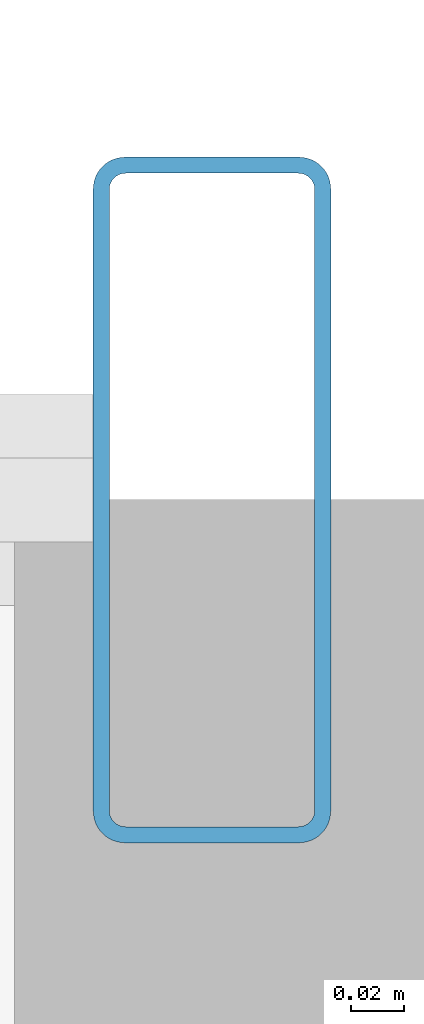
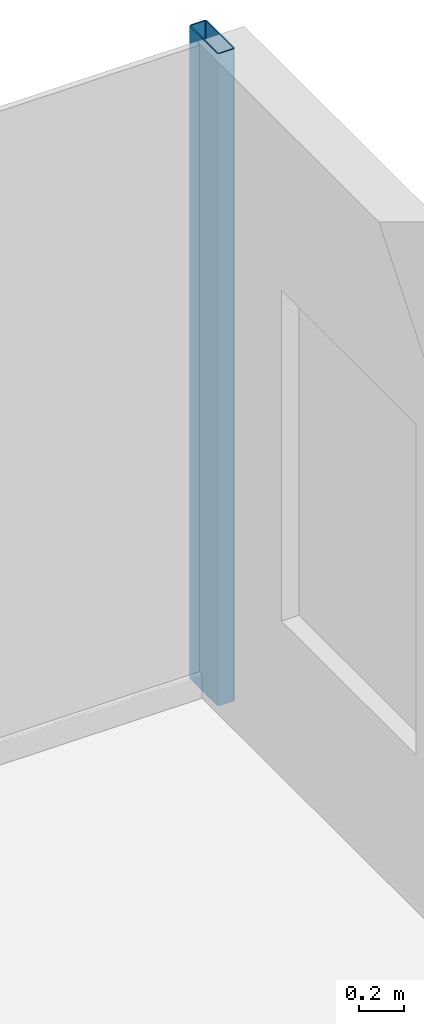
# One storey, part 14 of 26: 1 member, 1 element without a shape of its own.
"""IFC4 building model written with IfcOpenShell, lengths in metres."""

from ifc_helpers import new_model, si_unit, direction, frame, origin, origin_2d, place, context, subcontext, project, spatial, hollow_rectangle, extrude, source, transform, mapped, material, layer, layer_set, material_profile, profile_set, type_object, element, aggregate, save


model = new_model("IFC4")

# Units and contexts
model_context = context("Model", 3, precision=1e-05, world=origin(), true_north=direction((0.0, 1.0)))
body_context = subcontext(model_context, "Body", "Model", "MODEL_VIEW")
ifc_project = project(units=[si_unit("LENGTHUNIT", "METRE"), si_unit("AREAUNIT", "SQUARE_METRE"), si_unit("VOLUMEUNIT", "CUBIC_METRE"), si_unit("PLANEANGLEUNIT", "RADIAN"), si_unit("MASSUNIT", "GRAM", prefix="KILO")], contexts=[model_context])

# Site, building, storey
site_placement = place(None, origin())
site = spatial("IfcSite", under=ifc_project, at=site_placement, CompositionType="ELEMENT")
building_placement = place(site_placement, origin())
building = spatial("IfcBuilding", under=site, at=building_placement, Name="Nefas-Gora Pilgrimage Tower", CompositionType="ELEMENT")
storey_placement = place(building_placement, frame((0.0, 0.0, 59.60009765625)))
storey = spatial("IfcBuildingStorey", under=building, at=storey_placement, Name="L13", CompositionType="ELEMENT", Elevation=59.60009765625)

# Curtain wall, member
ifc_material_1 = material(Name="Dark ceramic-fritted solar-control aluminium-glass curtain wall", Category="aluminium")
ifc_layer = layer(ifc_material_1, 0.219970703125)
ifc_layer_set = layer_set([ifc_layer], Name="Dark ceramic-fritted solar-control aluminium-glass curtain wall")
curtain_wall_type = type_object("IfcCurtainWallType", Name="CW-SYS-2", PredefinedType="NOTDEFINED", material=ifc_layer_set)
curtain_wall_placement = place(storey_placement, origin())
curtain_wall = element("IfcCurtainWall", 1, at=curtain_wall_placement, inside=storey, type_object=curtain_wall_type, Name="L13 Unitised Curtain Wall CW2", PredefinedType="NOTDEFINED")
ifc_material_2 = material(Name="Anodised architectural aluminium", Category="aluminium")
ifc_material_profile = material_profile(ifc_material_2, hollow_rectangle(XDim=0.090087890625, YDim=0.260009765625, WallThickness=0.006103515625, InnerFilletRadius=0.006103515625, OuterFilletRadius=0.011962890625, at=origin_2d()), Name="ALU MULLION 90x260")
ifc_profile_set = profile_set([ifc_material_profile], Name="Anodised architectural aluminium")
member_type = type_object("IfcMemberType", Name="CWM-MUL-2", PredefinedType="MULLION", material=ifc_profile_set)
shared_shape = source(origin(), body_context, "Body", "SweptSolid", [
    extrude(hollow_rectangle(XDim=0.090087890625, YDim=0.260009765625, WallThickness=0.006103515625, InnerFilletRadius=0.006103515625, OuterFilletRadius=0.011962890625, at=origin_2d()), origin(), (0.0, 0.0, 1.0), 3.5498046875),
])
member_placement = place(storey_placement, frame((28.824951171875, 23.02001953125, 0.0), z_axis=(0.0, 0.0, 1.0), x_axis=(-1.0, 0.0, 0.0)))
member = element("IfcMember", 2, at=member_placement, type_object=member_type, Name="CW2 Mullion 1", PredefinedType="MULLION", context=body_context, shape_type="MappedRepresentation", body=[
    mapped(shared_shape, transform((0.0, 0.0, 0.0), x_axis=(1.0, 0.0, 0.0), y_axis=(0.0, 1.0, 0.0), z_axis=(0.0, 0.0, 1.0), scale=1.0)),
])
aggregate(curtain_wall, [member])

save(model, "model.ifc")
